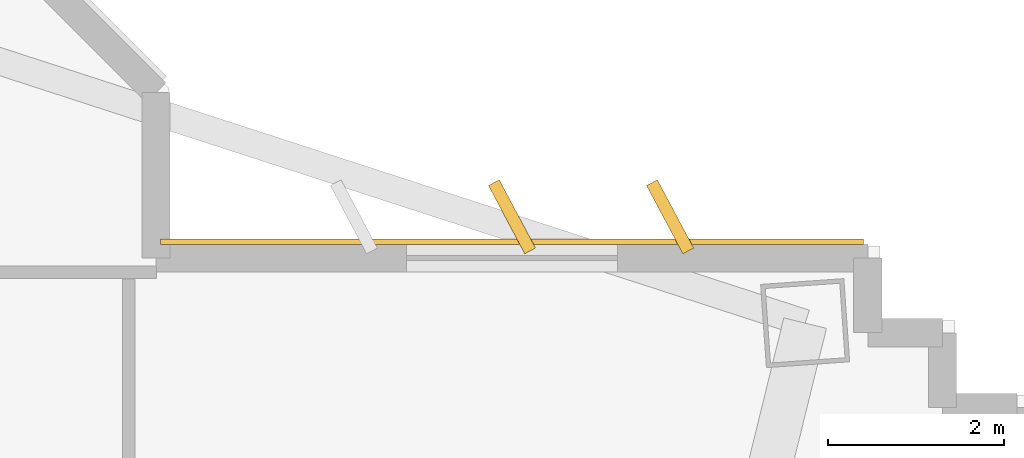
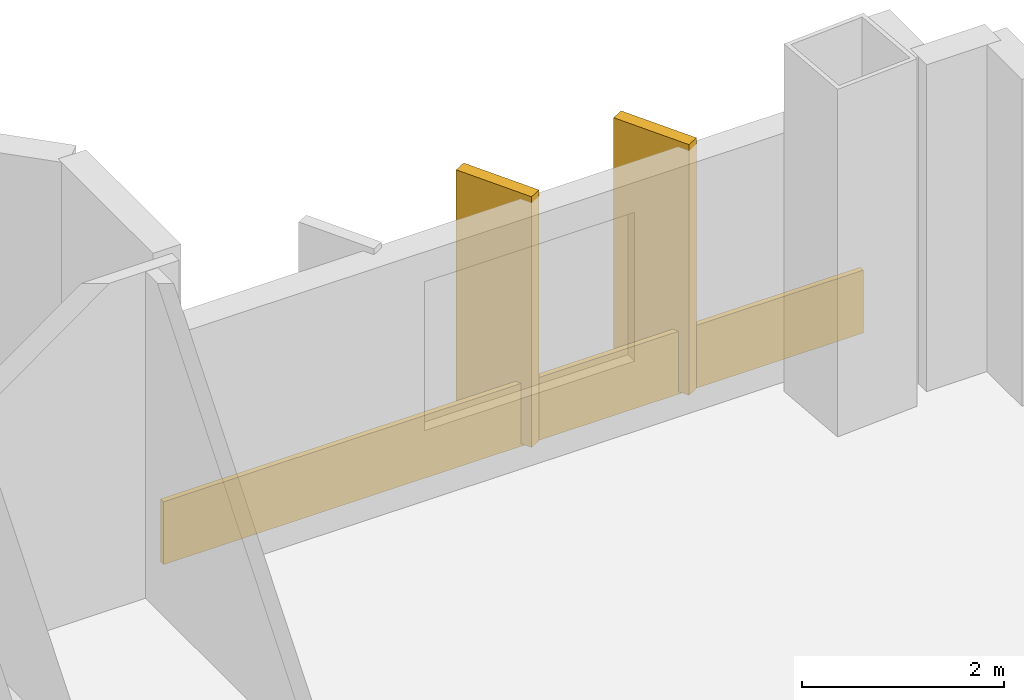
# One storey, part 14 of 14: 2 shading devices, 1 covering.
"""IFC4 building model written with IfcOpenShell, lengths in metres."""

from ifc_helpers import new_model, si_unit, direction, frame, origin, origin_2d, place, context, subcontext, project, spatial, rectangle, extrude, source, transform, mapped, material, layer, layer_set, type_object, element, save


model = new_model("IFC4")

# Units and contexts
model_context = context("Model", 3, precision=1e-05, world=origin(), true_north=direction((0.0, 1.0)))
body_context = subcontext(model_context, "Body", "Model", "MODEL_VIEW")
ifc_project = project(units=[si_unit("LENGTHUNIT", "METRE"), si_unit("AREAUNIT", "SQUARE_METRE"), si_unit("VOLUMEUNIT", "CUBIC_METRE"), si_unit("PLANEANGLEUNIT", "RADIAN"), si_unit("MASSUNIT", "GRAM", prefix="KILO")], contexts=[model_context])

# Site, building, storey
site_placement = place(None, origin())
site = spatial("IfcSite", under=ifc_project, at=site_placement, CompositionType="ELEMENT")
building_placement = place(site_placement, origin())
building = spatial("IfcBuilding", under=site, at=building_placement, Name="Zahravan Cultural Tower", CompositionType="ELEMENT")
storey_placement = place(building_placement, frame((0.0, 0.0, 33.300048828125)))
storey = spatial("IfcBuildingStorey", under=building, at=storey_placement, Name="L06", CompositionType="ELEMENT", Elevation=33.300048828125)

# Covering
ifc_material_1 = material(Name="Terracotta ceramic cladding", Category="masonry")
ifc_layer = layer(ifc_material_1, 0.06005859375)
ifc_layer_set = layer_set([ifc_layer], Name="Terracotta ceramic cladding")
covering_type = type_object("IfcCoveringType", Name="COV-CLAD-TC60", PredefinedType="CLADDING", material=ifc_layer_set)
shared_shape_1 = source(origin(), body_context, "Body", "SweptSolid", [
    extrude(rectangle(XDim=8.0, YDim=0.06005859375, at=origin_2d()), origin(), (0.0, 0.0, 1.0), 0.760009765625),
])
covering_placement = place(storey_placement, frame((57.110107421875, 33.844970703125, 0.02001953125), z_axis=(0.0, 0.0, 1.0), x_axis=(1.0, 0.0, 0.0)))
element("IfcCovering", 1, at=covering_placement, inside=storey, type_object=covering_type, Name="L06 Terracotta Spandrel Cladding 01", PredefinedType="CLADDING", context=body_context, shape_type="MappedRepresentation", body=[
    mapped(shared_shape_1, transform((0.0, 0.0, 0.0), x_axis=(1.0, 0.0, 0.0), y_axis=(0.0, 1.0, 0.0), z_axis=(0.0, 0.0, 1.0), scale=1.0)),
])

# Shading devices
ifc_material_2 = material(Name="Architectural terracotta fin", Category="masonry")
shading_device_type = type_object("IfcShadingDeviceType", Name="SHD-FIN-880", PredefinedType="USERDEFINED", material=ifc_material_2)
shared_shape_2 = source(origin(), body_context, "Body", "SweptSolid", [
    extrude(rectangle(XDim=0.8798828125, YDim=0.139892578125, at=origin_2d()), origin(), (0.0, 0.0, 1.0), 3.030029296875),
])
for number, where, z_axis, x_axis, name in (
    (2, (57.110107421875, 34.1298828125, 0.0498046875), (0.0, 0.0, 1.0), (-0.469471562786, 0.882947592859, 0.0), "L06 Herringbone Terracotta Fin 02"),
    (3, (58.909912109375, 34.1298828125, 0.0498046875), (0.0, 0.0, 1.0), (-0.469471562786, 0.882947592859, 0.0), "L06 Herringbone Terracotta Fin 03"),
):
    element("IfcShadingDevice", number, at=place(storey_placement, frame(where, z_axis=z_axis, x_axis=x_axis)), inside=storey, type_object=shading_device_type, Name=name, ObjectType="FIN", PredefinedType="USERDEFINED", context=body_context, shape_type="MappedRepresentation", body=[
        mapped(shared_shape_2, transform((0.0, 0.0, 0.0), x_axis=(1.0, 0.0, 0.0), y_axis=(0.0, 1.0, 0.0), z_axis=(0.0, 0.0, 1.0), scale=1.0)),
    ])

save(model, "model.ifc")
